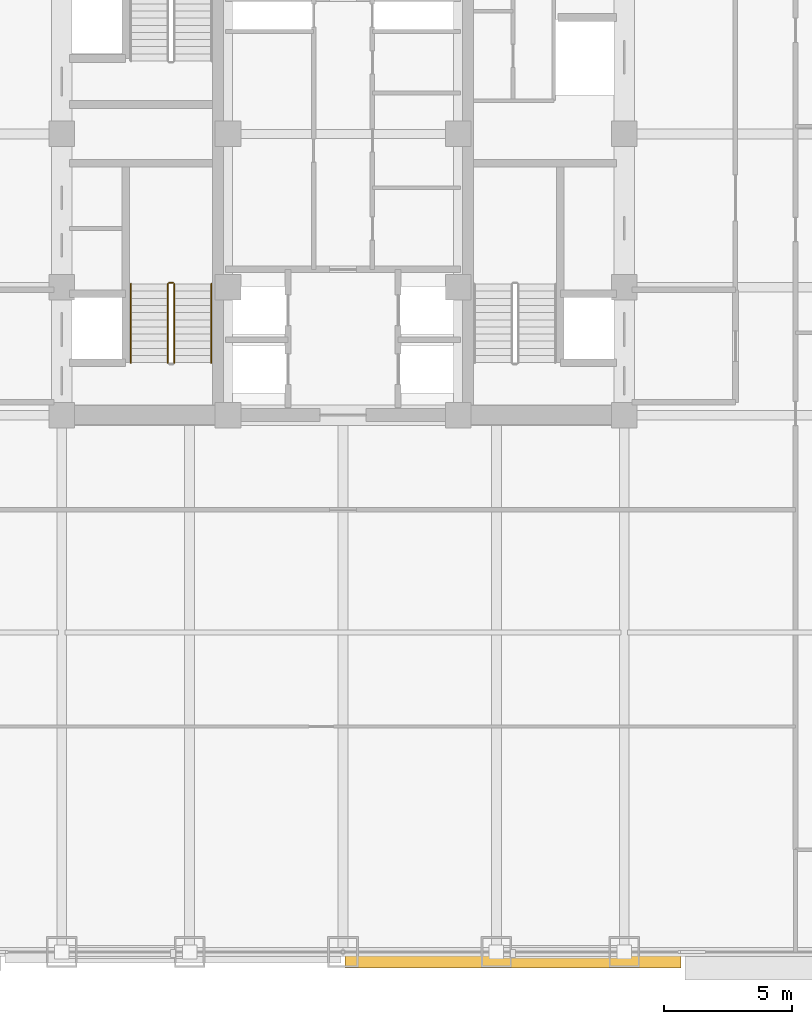
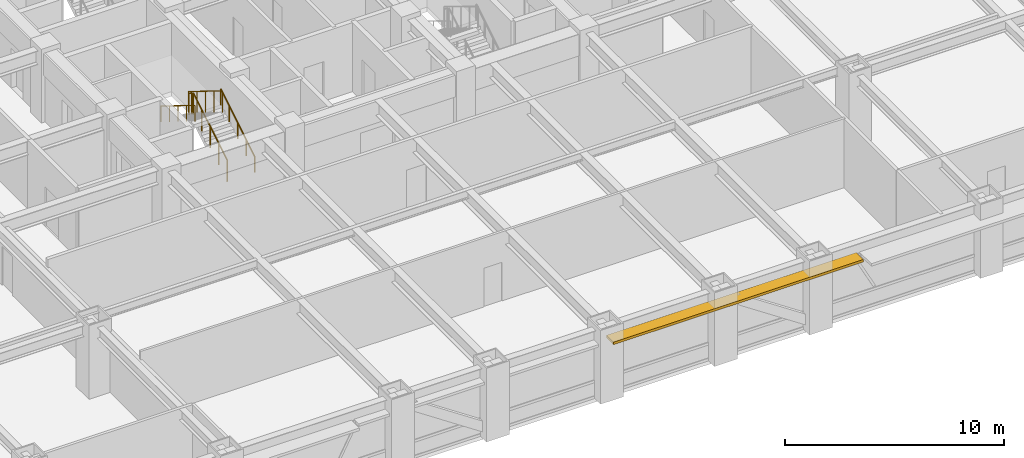
# One storey, part 29 of 32: 5 railings, 1 shading device.
"""IFC4 building model written with IfcOpenShell, lengths in metres."""

import ifcopenshell
import ifcopenshell.guid

model = None  # the IFC model being written
_history = None  # IfcOwnerHistory: only IFC2X3 demands one
_inside = {}  # id of a spatial element -> (the spatial element, [elements in it])
_under = {}  # id of a project, library or spatial element -> (it, [spatial elements below it])
_declared = {}  # id of a project -> (the project, [libraries it declares])
_typed = {}  # id of a type object -> (the type object, [elements of that type])
_made_of = {}  # id of a material, layer set ... -> (it, [elements and type objects made of it])


def new_model(schema):
    """Start an empty IFC model of exactly this schema.

    Asked for "IFC4X3", IfcOpenShell would pick the latest addendum, in which some entities
    have other attributes; the version numbers below select the first issue.
    IFC2X3 requires an IfcOwnerHistory on every rooted entity: one is made here for all.
    """
    global model, _history
    if schema == "IFC4X3":
        model = ifcopenshell.file(schema_version=(4, 3, 0, 0))
    else:
        model = ifcopenshell.file(schema=schema)
    _inside.clear()
    _under.clear()
    _declared.clear()
    _typed.clear()
    _made_of.clear()
    _history = None
    if model.schema == "IFC2X3":
        org = make("IfcOrganization", Name="unknown")
        user = make(
            "IfcPersonAndOrganization",
            ThePerson=make("IfcPerson", FamilyName="unknown"),
            TheOrganization=org,
        )
        app = make(
            "IfcApplication",
            ApplicationDeveloper=org,
            Version="unknown",
            ApplicationFullName="unknown",
            ApplicationIdentifier="unknown",
        )
        _history = make(
            "IfcOwnerHistory",
            OwningUser=user,
            OwningApplication=app,
            ChangeAction="ADDED",
            CreationDate=0,
        )
    return model


def make(cls, **values):
    """One entity of the class cls with the attributes given. An attribute that is None is left unset."""
    return model.create_entity(
        cls, **{name: value for name, value in values.items() if value is not None}
    )


def rooted(cls, **values):
    """An entity with a GlobalId (a new one), such as an element, a storey or a relation."""
    return make(cls, GlobalId=ifcopenshell.guid.new(), OwnerHistory=_history, **values)


def si_unit(unit_type, name, prefix=None):
    """IfcSIUnit, for example si_unit("LENGTHUNIT", "METRE", prefix="MILLI")."""
    return make("IfcSIUnit", UnitType=unit_type, Prefix=prefix, Name=name)


def assignment(units):
    """IfcUnitAssignment: the units of a project."""
    return None if units is None else make("IfcUnitAssignment", Units=units)


def point(xyz):
    """IfcCartesianPoint."""
    return None if xyz is None else make("IfcCartesianPoint", Coordinates=xyz)


def direction(xyz):
    """IfcDirection."""
    return None if xyz is None else make("IfcDirection", DirectionRatios=xyz)


def frame(location, z_axis=None, x_axis=None):
    """IfcAxis2Placement3D, a coordinate frame: its origin and axes. An axis left out is left unset."""
    return make(
        "IfcAxis2Placement3D",
        Location=point(location),
        Axis=direction(z_axis),
        RefDirection=direction(x_axis),
    )


def frame_2d(location, x_axis=None):
    """IfcAxis2Placement2D, a coordinate frame in the plane: its origin and x axis."""
    return make(
        "IfcAxis2Placement2D", Location=point(location), RefDirection=direction(x_axis)
    )


def origin():
    """The frame at (0, 0, 0) with its axes left unset."""
    return frame((0.0, 0.0, 0.0))


def origin_2d():
    """The frame at (0, 0) in the plane with its x axis left unset."""
    return frame_2d((0.0, 0.0))


def place(relative_to, where):
    """IfcLocalPlacement: puts the frame where relative to a parent placement (None: the world)."""
    return make(
        "IfcLocalPlacement", PlacementRelTo=relative_to, RelativePlacement=where
    )


def context(
    kind, dimensions, precision=None, world=None, true_north=None, identifier=None
):
    """IfcGeometricRepresentationContext, for example the 3D "Model" context."""
    return make(
        "IfcGeometricRepresentationContext",
        ContextIdentifier=identifier,
        ContextType=kind,
        CoordinateSpaceDimension=dimensions,
        Precision=precision,
        WorldCoordinateSystem=world,
        TrueNorth=true_north,
    )


def subcontext(parent, identifier, kind, view, scale=None):
    """IfcGeometricRepresentationSubContext, for example "Body" below "Model"."""
    return make(
        "IfcGeometricRepresentationSubContext",
        ContextIdentifier=identifier,
        ContextType=kind,
        ParentContext=parent,
        TargetScale=scale,
        TargetView=view,
    )


def project(units=None, contexts=None):
    """IfcProject with its units and contexts."""
    return rooted(
        "IfcProject",
        Name="project",
        RepresentationContexts=contexts,
        UnitsInContext=assignment(units),
    )


def spatial(cls, under=None, at=None, **own):
    """A site, building, storey or space (cls), placed at a placement, below another one or the project."""
    s = rooted(cls, ObjectPlacement=at, **own)
    if under is not None:
        _under.setdefault(under.id(), (under, []))[1].append(s)
    return s


def profile(cls, at=None, kind="AREA", **sizes):
    """A parametric profile (cls). Its sizes go by their IFC names, for example OverallWidth=200.0."""
    return make(cls, ProfileType=kind, Position=at, **sizes)


def rectangle(**sizes):
    """IfcRectangleProfileDef."""
    return profile("IfcRectangleProfileDef", **sizes)


def circle(**sizes):
    """IfcCircleProfileDef."""
    return profile("IfcCircleProfileDef", **sizes)


def extrude(swept, where, along, depth):
    """IfcExtrudedAreaSolid: the profile swept, set in the frame where, extruded along a direction by depth."""
    return make(
        "IfcExtrudedAreaSolid",
        SweptArea=swept,
        Position=where,
        ExtrudedDirection=direction(along),
        Depth=depth,
    )


def shape(context_of_items, identifier, shape_type, items):
    """IfcShapeRepresentation: the items that make up one representation, for example the "Body"."""
    return make(
        "IfcShapeRepresentation",
        ContextOfItems=context_of_items,
        RepresentationIdentifier=identifier,
        RepresentationType=shape_type,
        Items=items,
    )


def source(mapping_origin, context_of_items, identifier, shape_type, items):
    """IfcRepresentationMap: a shape defined once, which mapped items show again and again."""
    return make(
        "IfcRepresentationMap",
        MappingOrigin=mapping_origin,
        MappedRepresentation=shape(context_of_items, identifier, shape_type, items),
    )


def transform(
    local_origin,
    x_axis=None,
    y_axis=None,
    z_axis=None,
    scale=None,
    scale2=None,
    scale3=None,
    uniform=True,
):
    """IfcCartesianTransformationOperator3D, or its non-uniform kind. x_axis, y_axis, z_axis: its Axis1, 2, 3."""
    if uniform:
        return make(
            "IfcCartesianTransformationOperator3D",
            Axis1=direction(x_axis),
            Axis2=direction(y_axis),
            LocalOrigin=point(local_origin),
            Scale=scale,
            Axis3=direction(z_axis),
        )
    return make(
        "IfcCartesianTransformationOperator3DnonUniform",
        Axis1=direction(x_axis),
        Axis2=direction(y_axis),
        LocalOrigin=point(local_origin),
        Scale=scale,
        Axis3=direction(z_axis),
        Scale2=scale2,
        Scale3=scale3,
    )


def mapped(mapping_source, mapping_target):
    """IfcMappedItem: shows the shape of a source again, moved by a transform."""
    return make(
        "IfcMappedItem", MappingSource=mapping_source, MappingTarget=mapping_target
    )


def material(Name=None, Category=None):
    """IfcMaterial."""
    return make("IfcMaterial", Name=Name, Category=Category)


def layer(
    of_material, thickness, ventilated=None, Name=None, Category=None, Priority=None
):
    """IfcMaterialLayer: one layer of a wall or slab, of a material (None: an air gap)."""
    return make(
        "IfcMaterialLayer",
        Material=of_material,
        LayerThickness=thickness,
        IsVentilated=ventilated,
        Name=Name,
        Category=Category,
        Priority=Priority,
    )


def layer_set(layers, Name=None):
    """IfcMaterialLayerSet."""
    return make("IfcMaterialLayerSet", MaterialLayers=layers, LayerSetName=Name)


def made_of(thing, what):
    """Note that an element or type object is made of a material, layer set ...; save() writes the relation."""
    if what is not None:
        _made_of.setdefault(what.id(), (what, []))[1].append(thing)
    return thing


def type_object(cls, material=None, **own):
    """A type object (cls), such as IfcWallType, which elements share."""
    return made_of(rooted(cls, **own), material)


def element(
    cls,
    number,
    at=None,
    inside=None,
    cuts=None,
    type_object=None,
    material=None,
    context=None,
    identifier="Body",
    shape_type=None,
    held_by="IfcProductDefinitionShape",
    body=None,
    shapes=None,
    **own,
):
    """One element of the class cls, such as IfcWall. Its Tag is "e" and its number.

    at: its placement. inside: the storey or other place that contains it. cuts: it is an
    opening in that element (IfcRelVoidsElement). A single representation is given by context,
    identifier, shape_type and body (its items); several are given by shapes. held_by: the class
    of the entity that holds the representations. save() writes the other relations.
    """
    e = rooted(cls, Tag="e%d" % number, ObjectPlacement=at, **own)
    if body is not None:
        shapes = [shape(context, identifier, shape_type, body)]
    if shapes is not None:
        e.Representation = make(held_by, Representations=shapes)
    if inside is not None:
        _inside.setdefault(inside.id(), (inside, []))[1].append(e)
    if cuts is not None:
        rooted(
            "IfcRelVoidsElement", RelatingBuildingElement=cuts, RelatedOpeningElement=e
        )
    if type_object is not None:
        _typed.setdefault(type_object.id(), (type_object, []))[1].append(e)
    return made_of(e, material)


def aggregate(whole, parts):
    """IfcRelAggregates: a whole, such as a stair, and the parts it consists of."""
    return rooted("IfcRelAggregates", RelatingObject=whole, RelatedObjects=parts)


def save(model, path):
    """Write the relations noted so far, then the file.

    IfcRelAggregates (storeys below a building ...), IfcRelContainedInSpatialStructure (elements
    in a storey), IfcRelDefinesByType, IfcRelAssociatesMaterial and IfcRelDeclares: one each for
    every whole, place, type object, material and project.
    """
    for whole, parts in _under.values():
        aggregate(whole, parts)
    for where, things in _inside.values():
        rooted(
            "IfcRelContainedInSpatialStructure",
            RelatedElements=things,
            RelatingStructure=where,
        )
    for kind, things in _typed.values():
        rooted("IfcRelDefinesByType", RelatedObjects=things, RelatingType=kind)
    for what, things in _made_of.values():
        rooted("IfcRelAssociatesMaterial", RelatedObjects=things, RelatingMaterial=what)
    for by, libraries in _declared.values():
        rooted("IfcRelDeclares", RelatingContext=by, RelatedDefinitions=libraries)
    model.write(path)


model = new_model("IFC4")

# Units and contexts
model_context = context("Model", 3, precision=1e-05, world=origin(), true_north=direction((0.0, 1.0)))
body_context = subcontext(model_context, "Body", "Model", "MODEL_VIEW")
ifc_project = project(units=[si_unit("LENGTHUNIT", "METRE"), si_unit("AREAUNIT", "SQUARE_METRE"), si_unit("VOLUMEUNIT", "CUBIC_METRE"), si_unit("PLANEANGLEUNIT", "RADIAN"), si_unit("MASSUNIT", "GRAM", prefix="KILO")], contexts=[model_context])

# Site, building, storey
site_placement = place(None, origin())
site = spatial("IfcSite", under=ifc_project, at=site_placement, CompositionType="ELEMENT")
building_placement = place(site_placement, origin())
building = spatial("IfcBuilding", under=site, at=building_placement, Name="Khorayat Bourse Tower", CompositionType="ELEMENT")
storey_placement = place(building_placement, frame((0.0, 0.0, 91.39990234375)))
storey = spatial("IfcBuildingStorey", under=building, at=storey_placement, Name="L20", CompositionType="ELEMENT", Elevation=91.39990234375)

# Shading device
ifc_material_1 = material(Name="Precast concrete C45/55", Category="concrete")
ifc_layer = layer(ifc_material_1, 0.139892578125)
ifc_layer_set = layer_set([ifc_layer], Name="Precast concrete C45/55")
shading_device_type = type_object("IfcShadingDeviceType", Name="SHD-WAVE-TRAY-B", PredefinedType="USERDEFINED", material=ifc_layer_set)
shared_shape_1 = source(origin(), body_context, "Body", "SweptSolid", [
    extrude(rectangle(XDim=13.159912109375, YDim=0.63818359375, at=origin_2d()), origin(), (0.0, 0.0, 1.0), 0.139892578125),
])
shading_device_placement = place(storey_placement, frame((6.64990234375, -32.299072265625, 3.09033203125), z_axis=(0.0, 0.0, 1.0), x_axis=(1.0, 0.0, 0.0)))
element("IfcShadingDevice", 1, at=shading_device_placement, inside=storey, type_object=shading_device_type, Name="L20 Sinusoidal Wave Sunshade Tray S-3", ObjectType="SUNSHADE", PredefinedType="USERDEFINED", context=body_context, shape_type="MappedRepresentation", body=[
    mapped(shared_shape_1, transform((0.0, 0.0, 0.0), scale=1.0)),
])

# Railings
ifc_material_2 = material(Name="Powder-coated steel balustrade", Category="steel")
railing_type_1 = type_object("IfcRailingType", Name="RLG-GUARD-1200", PredefinedType="GUARDRAIL", material=ifc_material_2)
shared_shape_2 = source(origin(), body_context, "Body", "SweptSolid", [
    extrude(circle(Radius=0.02392578125, at=origin_2d()), frame((0.0, 0.0, 1.17578125), z_axis=(-1.0, 0.0, 0.0), x_axis=(0.0, -1.0, 0.0)), (0.0, 0.0, 1.0), 0.150146484375),
    extrude(circle(Radius=0.02099609375, at=origin_2d()), origin(), (0.0, 0.0, 1.0), 1.15185546875),
    extrude(circle(Radius=0.02099609375, at=origin_2d()), frame((-0.150146484375, 0.0, 0.0)), (0.0, 0.0, 1.0), 1.15185546875),
])
railing_1_placement = place(storey_placement, frame((-6.64990234375, -5.820068359375, 2.050048828125)))
element("IfcRailing", 2, at=railing_1_placement, inside=storey, type_object=railing_type_1, Name="L20 ST-1 stair guard 2", PredefinedType="GUARDRAIL", context=body_context, shape_type="MappedRepresentation", body=[
    mapped(shared_shape_2, transform((0.0, 0.0, 0.0), scale=1.0)),
])
shared_shape_3 = source(origin(), body_context, "Body", "SweptSolid", [
    extrude(circle(Radius=0.02392578125, at=origin_2d()), frame((0.0, 0.0, 1.17578125), z_axis=(0.0, 0.853647949592, 0.520850437417), x_axis=(-1.0, 0.0, 0.0)), (0.0, 0.0, 1.0), 3.60791015625),
    extrude(circle(Radius=0.02099609375, at=origin_2d()), origin(), (0.0, 0.0, 1.0), 1.15185546875),
    extrude(circle(Radius=0.02099609375, at=origin_2d()), frame((0.0, 0.77001953125, 0.4697265625)), (0.0, 0.0, 1.0), 1.15185546875),
    extrude(circle(Radius=0.02099609375, at=origin_2d()), frame((0.0, 1.5400390625, 0.939453125)), (0.0, 0.0, 1.0), 1.15185546875),
    extrude(circle(Radius=0.02099609375, at=origin_2d()), frame((0.0, 2.309814453125, 1.409423828125)), (0.0, 0.0, 1.0), 1.15185546875),
    extrude(circle(Radius=0.02099609375, at=origin_2d()), frame((0.0, 3.079833984375, 1.879150390625)), (0.0, 0.0, 1.0), 1.15185546875),
])
railing_2_placement = place(storey_placement, frame((-6.60009765625, -8.949951171875, 0.1708984375)))
element("IfcRailing", 3, at=railing_2_placement, inside=storey, type_object=railing_type_1, Name="L20 ST-1 stair guard 1", PredefinedType="GUARDRAIL", context=body_context, shape_type="MappedRepresentation", body=[
    mapped(shared_shape_3, transform((0.0, 0.0, 0.0), scale=1.0)),
])
shared_shape_4 = source(origin(), body_context, "Body", "SweptSolid", [
    extrude(circle(Radius=0.02392578125, at=origin_2d()), frame((0.0, 0.0, 1.17578125), z_axis=(0.0, -0.853647949592, 0.520850437417), x_axis=(1.0, 0.0, 0.0)), (0.0, 0.0, 1.0), 3.60791015625),
    extrude(circle(Radius=0.02099609375, at=origin_2d()), origin(), (0.0, 0.0, 1.0), 1.15185546875),
    extrude(circle(Radius=0.02099609375, at=origin_2d()), frame((0.0, -0.77001953125, 0.4697265625)), (0.0, 0.0, 1.0), 1.15185546875),
    extrude(circle(Radius=0.02099609375, at=origin_2d()), frame((0.0, -1.5400390625, 0.939453125)), (0.0, 0.0, 1.0), 1.15185546875),
    extrude(circle(Radius=0.02099609375, at=origin_2d()), frame((0.0, -2.309814453125, 1.409423828125)), (0.0, 0.0, 1.0), 1.15185546875),
    extrude(circle(Radius=0.02099609375, at=origin_2d()), frame((0.0, -3.079833984375, 1.879150390625)), (0.0, 0.0, 1.0), 1.15185546875),
])
railing_3_placement = place(storey_placement, frame((-6.85009765625, -5.8701171875, 2.220947265625)))
element("IfcRailing", 4, at=railing_3_placement, inside=storey, type_object=railing_type_1, Name="L20 ST-1 stair guard 3", PredefinedType="GUARDRAIL", context=body_context, shape_type="MappedRepresentation", body=[
    mapped(shared_shape_4, transform((0.0, 0.0, 0.0), scale=1.0)),
])
ifc_material_3 = material(Name="Brushed bronze stainless-steel handrail", Category="steel")
railing_type_2 = type_object("IfcRailingType", Name="RLG-HAND-900", PredefinedType="HANDRAIL", material=ifc_material_3)
shared_shape_5 = source(origin(), body_context, "Body", "SweptSolid", [
    extrude(circle(Radius=0.02392578125, at=origin_2d()), frame((0.0, 0.0, 0.8759765625), z_axis=(0.0, 0.853647949592, 0.520850437417), x_axis=(-1.0, 0.0, 0.0)), (0.0, 0.0, 1.0), 3.60791015625),
    extrude(circle(Radius=0.02099609375, at=origin_2d()), origin(), (0.0, 0.0, 1.0), 0.851806640625),
    extrude(circle(Radius=0.02099609375, at=origin_2d()), frame((0.0, 0.77001953125, 0.4697265625)), (0.0, 0.0, 1.0), 0.851806640625),
    extrude(circle(Radius=0.02099609375, at=origin_2d()), frame((0.0, 1.5400390625, 0.939453125)), (0.0, 0.0, 1.0), 0.851806640625),
    extrude(circle(Radius=0.02099609375, at=origin_2d()), frame((0.0, 2.309814453125, 1.409423828125)), (0.0, 0.0, 1.0), 0.851806640625),
    extrude(circle(Radius=0.02099609375, at=origin_2d()), frame((0.0, 3.079833984375, 1.879150390625)), (0.0, 0.0, 1.0), 0.851806640625),
])
railing_4_placement = place(storey_placement, frame((-5.14990234375, -8.949951171875, 0.1708984375)))
element("IfcRailing", 5, at=railing_4_placement, inside=storey, type_object=railing_type_2, Name="L20 ST-1 stair handrail 1", PredefinedType="HANDRAIL", context=body_context, shape_type="MappedRepresentation", body=[
    mapped(shared_shape_5, transform((0.0, 0.0, 0.0), scale=1.0)),
])
shared_shape_6 = source(origin(), body_context, "Body", "SweptSolid", [
    extrude(circle(Radius=0.02392578125, at=origin_2d()), frame((0.0, 0.0, 0.8759765625), z_axis=(0.0, -0.853647949592, 0.520850437417), x_axis=(1.0, 0.0, 0.0)), (0.0, 0.0, 1.0), 3.60791015625),
    extrude(circle(Radius=0.02099609375, at=origin_2d()), origin(), (0.0, 0.0, 1.0), 0.851806640625),
    extrude(circle(Radius=0.02099609375, at=origin_2d()), frame((0.0, -0.77001953125, 0.4697265625)), (0.0, 0.0, 1.0), 0.851806640625),
    extrude(circle(Radius=0.02099609375, at=origin_2d()), frame((0.0, -1.5400390625, 0.939453125)), (0.0, 0.0, 1.0), 0.851806640625),
    extrude(circle(Radius=0.02099609375, at=origin_2d()), frame((0.0, -2.309814453125, 1.409423828125)), (0.0, 0.0, 1.0), 0.851806640625),
    extrude(circle(Radius=0.02099609375, at=origin_2d()), frame((0.0, -3.079833984375, 1.879150390625)), (0.0, 0.0, 1.0), 0.851806640625),
])
railing_5_placement = place(storey_placement, frame((-8.300048828125, -5.8701171875, 2.220947265625)))
element("IfcRailing", 6, at=railing_5_placement, inside=storey, type_object=railing_type_2, Name="L20 ST-1 stair handrail 2", PredefinedType="HANDRAIL", context=body_context, shape_type="MappedRepresentation", body=[
    mapped(shared_shape_6, transform((0.0, 0.0, 0.0), scale=1.0)),
])

save(model, "model.ifc")
